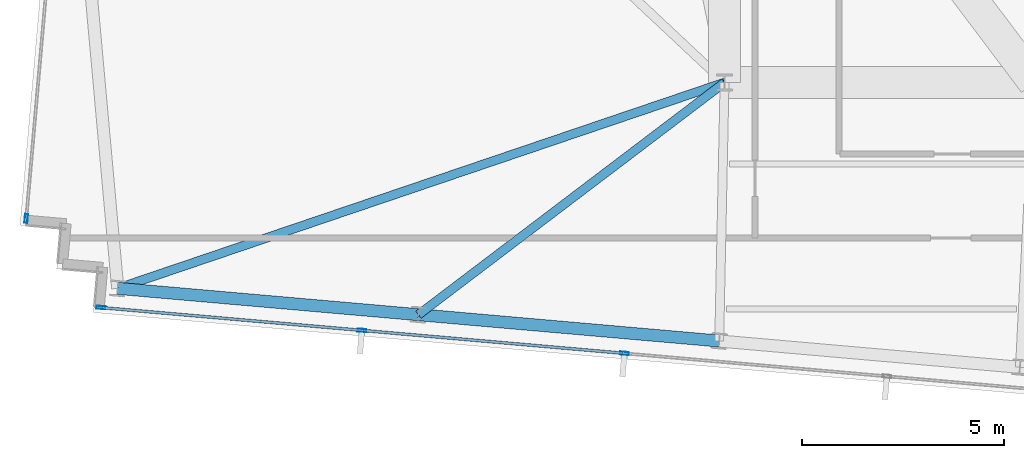
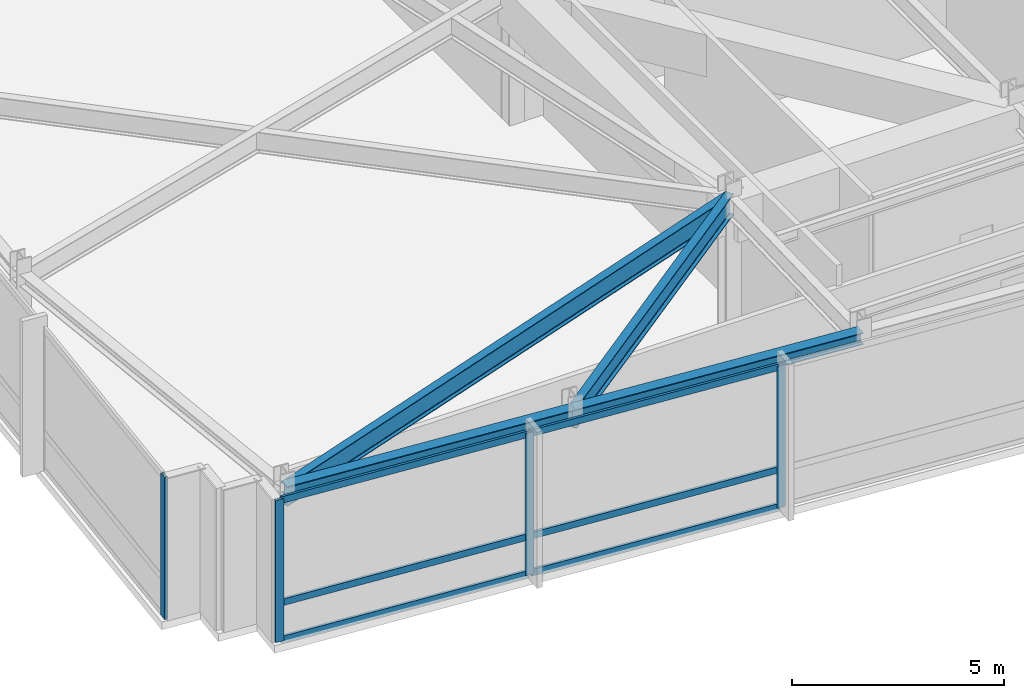
# One storey, part 2 of 25: 10 members, 4 beams, 2 elements without a shape of their own.
"""IFC4 building model written with IfcOpenShell, lengths in metres."""

from ifc_helpers import new_model, si_unit, direction, frame, origin, origin_2d, place, context, subcontext, project, spatial, hollow_rectangle, i_section, extrude, material, material_profile, profile_set, type_object, element, aggregate, save


model = new_model("IFC4")

# Units and contexts
model_context = context("Model", 3, precision=1e-05, world=origin(), true_north=direction((0.0, 1.0)))
body_context = subcontext(model_context, "Body", "Model", "MODEL_VIEW")
ifc_project = project(units=[si_unit("LENGTHUNIT", "METRE"), si_unit("AREAUNIT", "SQUARE_METRE"), si_unit("VOLUMEUNIT", "CUBIC_METRE"), si_unit("PLANEANGLEUNIT", "RADIAN"), si_unit("MASSUNIT", "GRAM", prefix="KILO")], contexts=[model_context])

# Site, building, storey
site_placement = place(None, origin())
site = spatial("IfcSite", under=ifc_project, at=site_placement, CompositionType="ELEMENT")
building_placement = place(site_placement, origin())
building = spatial("IfcBuilding", under=site, at=building_placement, Name="Yelkora Congress Tower", CompositionType="ELEMENT")
storey_placement = place(building_placement, frame((0.0, 0.0, 299.89990234375)))
storey = spatial("IfcBuildingStorey", under=building, at=storey_placement, Name="L84", CompositionType="ELEMENT", Elevation=299.89990234375)

# Beams
ifc_material_1 = material(Name="Steel S355J2", Category="steel")
ifc_material_profile_1 = material_profile(ifc_material_1, i_section(OverallWidth=0.219970703125, OverallDepth=0.60009765625, WebThickness=0.011962890625, FlangeThickness=0.01904296875, FilletRadius=0.02392578125, at=origin_2d()), Name="IPE 600")
ifc_profile_set_1 = profile_set([ifc_material_profile_1], Name="Steel S355J2")
beam_type_1 = type_object("IfcBeamType", Name="BM-GIRD-IPE600", PredefinedType="BEAM", material=ifc_profile_set_1)
beam_1_placement = place(storey_placement, frame((7.998046875, 20.097900390625, 3.780029296875), z_axis=(0.947007090502, 0.321212656257, 0.0), x_axis=(-0.321212656257, 0.947007090502, 0.0)))
element("IfcBeam", 1, at=beam_1_placement, inside=storey, type_object=beam_type_1, Name="L84 Primary Frame Girder S01", PredefinedType="BEAM", context=body_context, shape_type="SweptSolid", body=[
    extrude(i_section(OverallWidth=0.219970703125, OverallDepth=0.60009765625, WebThickness=0.011962890625, FlangeThickness=0.01904296875, FilletRadius=0.02392578125, at=origin_2d()), origin(), (0.0, 0.0, 1.0), 15.8837890625),
])
beam_2_placement = place(storey_placement, frame((15.452880859375, 19.445556640625, 3.780029296875), z_axis=(0.79676107913, 0.6042944504, 0.0), x_axis=(-0.6042944504, 0.79676107913, 0.0)))
element("IfcBeam", 2, at=beam_2_placement, inside=storey, type_object=beam_type_1, Name="L84 Primary Frame Girder S02", PredefinedType="BEAM", context=body_context, shape_type="SweptSolid", body=[
    extrude(i_section(OverallWidth=0.219970703125, OverallDepth=0.60009765625, WebThickness=0.011962890625, FlangeThickness=0.01904296875, FilletRadius=0.02392578125, at=origin_2d()), origin(), (0.0, 0.0, 1.0), 9.5224609375),
])
ifc_material_profile_2 = material_profile(ifc_material_1, i_section(OverallWidth=0.300048828125, OverallDepth=0.340087890625, WebThickness=0.011962890625, FlangeThickness=0.021484375, FilletRadius=0.027099609375, at=origin_2d()), Name="HEB 340")
ifc_profile_set_2 = profile_set([ifc_material_profile_2], Name="Steel S355J2")
beam_type_2 = type_object("IfcBeamType", Name="BM-SPAN-HEB340", PredefinedType="SPANDREL", material=ifc_profile_set_2)
for number, where, z_axis, x_axis, name in (
    (3, (7.998046875, 20.097900390625, 3.91015625), (0.996193186297, -0.08717302092, 0.0), (0.08717302092, 0.996193186297, 0.0), "L84 Perimeter Beam 1"),
    (4, (15.452880859375, 19.445556640625, 3.91015625), (0.996193186297, -0.08717302092, 0.0), (0.08717302092, 0.996193186297, 0.0), "L84 Perimeter Beam 2"),
):
    element("IfcBeam", number, at=place(storey_placement, frame(where, z_axis=z_axis, x_axis=x_axis)), inside=storey, type_object=beam_type_2, Name=name, PredefinedType="SPANDREL", context=body_context, shape_type="SweptSolid", body=[
        extrude(i_section(OverallWidth=0.300048828125, OverallDepth=0.340087890625, WebThickness=0.011962890625, FlangeThickness=0.021484375, FilletRadius=0.027099609375, at=origin_2d()), origin(), (0.0, 0.0, 1.0), 7.4833984375),
    ])

# Curtain wall, member
ifc_material_2 = material(Name="Anodised aluminium and insulated glass", Category="aluminium")
curtain_wall_type = type_object("IfcCurtainWallType", Name="CW-SYS-SKY", PredefinedType="NOTDEFINED", material=ifc_material_2)
curtain_wall_1_placement = place(storey_placement, origin())
curtain_wall_1 = element("IfcCurtainWall", 5, at=curtain_wall_1_placement, inside=storey, type_object=curtain_wall_type, Name="L84 Unitised Curtain Wall 5", PredefinedType="NOTDEFINED")
ifc_material_3 = material(Name="Anodised aluminium 6063-T6", Category="aluminium")
ifc_material_profile_3 = material_profile(ifc_material_3, hollow_rectangle(XDim=0.074951171875, YDim=0.219970703125, WallThickness=0.0048828125, at=origin_2d()), Name="ALU 75x220x5")
ifc_profile_set_3 = profile_set([ifc_material_profile_3], Name="Anodised aluminium 6063-T6")
member_type_1 = type_object("IfcMemberType", Name="MEM-ML-SKY", PredefinedType="MULLION", material=ifc_profile_set_3)
member_1_placement = place(storey_placement, frame((5.73046875, 21.82958984375, 0.0), z_axis=(0.0, 0.0, 1.0), x_axis=(-0.996194785929, 0.08715473876, 0.0)))
member_1 = element("IfcMember", 6, at=member_1_placement, type_object=member_type_1, Name="CW-SKY mullion 1", PredefinedType="MULLION", context=body_context, shape_type="SweptSolid", body=[
    extrude(hollow_rectangle(XDim=0.074951171875, YDim=0.219970703125, WallThickness=0.0048828125, at=origin_2d()), origin(), (0.0, 0.0, 1.0), 4.080078125),
])
aggregate(curtain_wall_1, [member_1])

# Curtain wall, members
curtain_wall_2_placement = place(storey_placement, origin())
curtain_wall_2 = element("IfcCurtainWall", 7, at=curtain_wall_2_placement, inside=storey, type_object=curtain_wall_type, Name="L84 Unitised Curtain Wall 20", PredefinedType="NOTDEFINED")
member_2_placement = place(storey_placement, frame((20.558349609375, 18.487060546875, 0.0), z_axis=(0.0, 0.0, 1.0), x_axis=(-0.087156829793, -0.996194602987, 0.0)))
member_2 = element("IfcMember", 8, at=member_2_placement, type_object=member_type_1, Name="CW-SKY mullion 6", PredefinedType="MULLION", context=body_context, shape_type="SweptSolid", body=[
    extrude(hollow_rectangle(XDim=0.074951171875, YDim=0.219970703125, WallThickness=0.0048828125, at=origin_2d()), origin(), (0.0, 0.0, 1.0), 4.080078125),
])
member_3_placement = place(storey_placement, frame((14.0517578125, 19.05615234375, 0.0), z_axis=(0.0, 0.0, 1.0), x_axis=(-0.087156829793, -0.996194602987, 0.0)))
member_3 = element("IfcMember", 9, at=member_3_placement, type_object=member_type_1, Name="CW-SKY mullion 7", PredefinedType="MULLION", context=body_context, shape_type="SweptSolid", body=[
    extrude(hollow_rectangle(XDim=0.074951171875, YDim=0.219970703125, WallThickness=0.0048828125, at=origin_2d()), origin(), (0.0, 0.0, 1.0), 4.080078125),
])
member_4_placement = place(storey_placement, frame((7.58251953125, 19.622314453125, 0.0), z_axis=(0.0, 0.0, 1.0), x_axis=(-0.087156829793, -0.996194602987, 0.0)))
member_4 = element("IfcMember", 10, at=member_4_placement, type_object=member_type_1, Name="CW-SKY mullion 8", PredefinedType="MULLION", context=body_context, shape_type="SweptSolid", body=[
    extrude(hollow_rectangle(XDim=0.074951171875, YDim=0.219970703125, WallThickness=0.0048828125, at=origin_2d()), origin(), (0.0, 0.0, 1.0), 4.080078125),
])
ifc_material_profile_4 = material_profile(ifc_material_3, hollow_rectangle(XDim=0.070068359375, YDim=0.18994140625, WallThickness=0.00390625, at=origin_2d()), Name="ALU 70x190x4")
ifc_profile_set_4 = profile_set([ifc_material_profile_4], Name="Anodised aluminium 6063-T6")
member_type_2 = type_object("IfcMemberType", Name="MEM-TR-SKY", PredefinedType="USERDEFINED", material=ifc_profile_set_4)
member_5_placement = place(storey_placement, frame((20.52099609375, 18.490234375, 0.03515625), z_axis=(-0.996194333134, 0.087159914135, 0.0), x_axis=(-0.087159914135, -0.996194333134, 0.0)))
member_5 = element("IfcMember", 11, at=member_5_placement, type_object=member_type_2, Name="CW-SKY transom 6.1", ObjectType="TRANSOM", PredefinedType="USERDEFINED", context=body_context, shape_type="SweptSolid", body=[
    extrude(hollow_rectangle(XDim=0.070068359375, YDim=0.18994140625, WallThickness=0.00390625, at=origin_2d()), origin(), (0.0, 0.0, 1.0), 6.45654296875),
])
member_6_placement = place(storey_placement, frame((20.52099609375, 18.490234375, 1.10009765625), z_axis=(-0.996194333134, 0.087159914135, 0.0), x_axis=(-0.087159914135, -0.996194333134, 0.0)))
member_6 = element("IfcMember", 12, at=member_6_placement, type_object=member_type_2, Name="CW-SKY transom 6.2", ObjectType="TRANSOM", PredefinedType="USERDEFINED", context=body_context, shape_type="SweptSolid", body=[
    extrude(hollow_rectangle(XDim=0.070068359375, YDim=0.18994140625, WallThickness=0.00390625, at=origin_2d()), origin(), (0.0, 0.0, 1.0), 6.45654296875),
])
member_7_placement = place(storey_placement, frame((20.52099609375, 18.490234375, 4.045166015625), z_axis=(-0.996194333134, 0.087159914135, 0.0), x_axis=(-0.087159914135, -0.996194333134, 0.0)))
member_7 = element("IfcMember", 13, at=member_7_placement, type_object=member_type_2, Name="CW-SKY transom 6.3", ObjectType="TRANSOM", PredefinedType="USERDEFINED", context=body_context, shape_type="SweptSolid", body=[
    extrude(hollow_rectangle(XDim=0.070068359375, YDim=0.18994140625, WallThickness=0.00390625, at=origin_2d()), origin(), (0.0, 0.0, 1.0), 6.45654296875),
])
member_8_placement = place(storey_placement, frame((14.014404296875, 19.0595703125, 0.03515625), z_axis=(-0.996196359216, 0.087136753931, 0.0), x_axis=(-0.087136753931, -0.996196359216, 0.0)))
member_8 = element("IfcMember", 14, at=member_8_placement, type_object=member_type_2, Name="CW-SKY transom 7.1", ObjectType="TRANSOM", PredefinedType="USERDEFINED", context=body_context, shape_type="SweptSolid", body=[
    extrude(hollow_rectangle(XDim=0.070068359375, YDim=0.18994140625, WallThickness=0.00390625, at=origin_2d()), origin(), (0.0, 0.0, 1.0), 6.4189453125),
])
member_9_placement = place(storey_placement, frame((14.014404296875, 19.0595703125, 1.10009765625), z_axis=(-0.996196359216, 0.087136753931, 0.0), x_axis=(-0.087136753931, -0.996196359216, 0.0)))
member_9 = element("IfcMember", 15, at=member_9_placement, type_object=member_type_2, Name="CW-SKY transom 7.2", ObjectType="TRANSOM", PredefinedType="USERDEFINED", context=body_context, shape_type="SweptSolid", body=[
    extrude(hollow_rectangle(XDim=0.070068359375, YDim=0.18994140625, WallThickness=0.00390625, at=origin_2d()), origin(), (0.0, 0.0, 1.0), 6.4189453125),
])
member_10_placement = place(storey_placement, frame((14.014404296875, 19.0595703125, 4.045166015625), z_axis=(-0.996196359216, 0.087136753931, 0.0), x_axis=(-0.087136753931, -0.996196359216, 0.0)))
member_10 = element("IfcMember", 16, at=member_10_placement, type_object=member_type_2, Name="CW-SKY transom 7.3", ObjectType="TRANSOM", PredefinedType="USERDEFINED", context=body_context, shape_type="SweptSolid", body=[
    extrude(hollow_rectangle(XDim=0.070068359375, YDim=0.18994140625, WallThickness=0.00390625, at=origin_2d()), origin(), (0.0, 0.0, 1.0), 6.4189453125),
])
aggregate(curtain_wall_2, [member_2, member_3, member_4, member_5, member_6, member_7, member_8, member_9, member_10])

save(model, "model.ifc")
